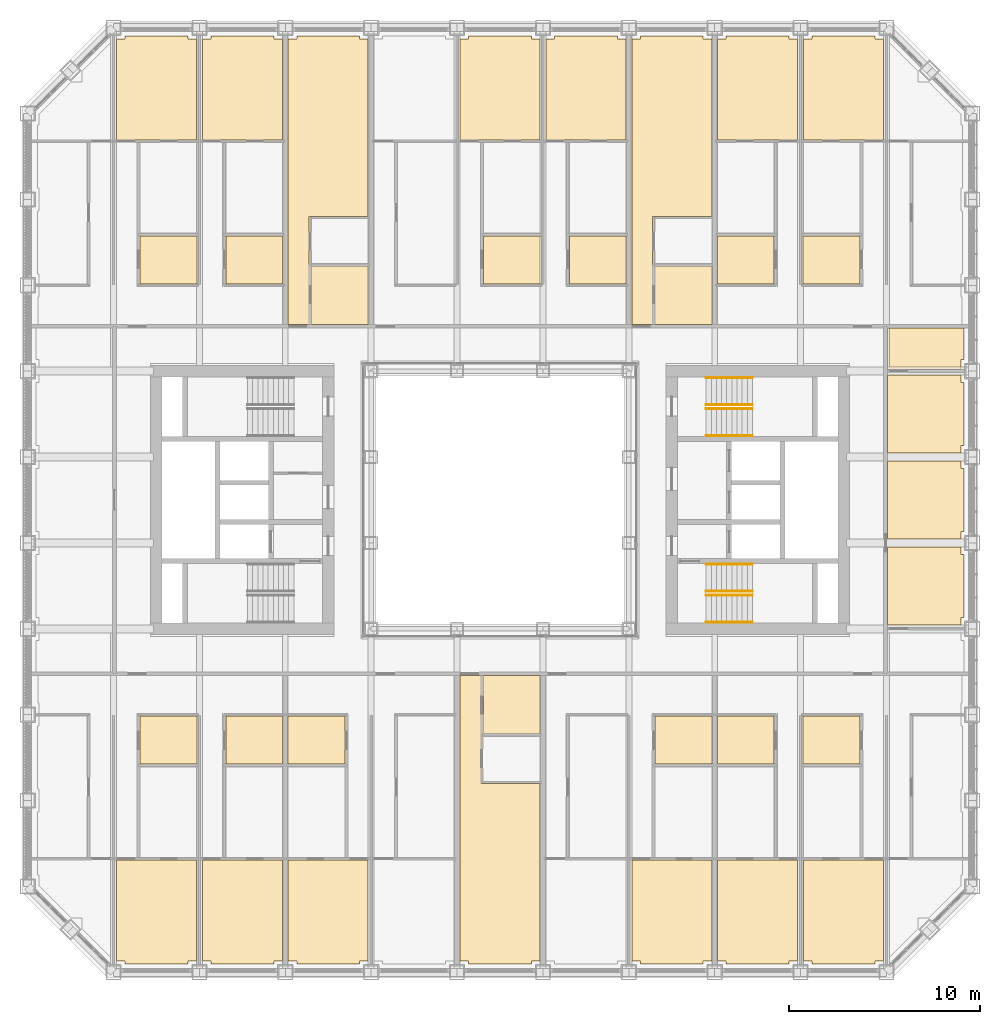
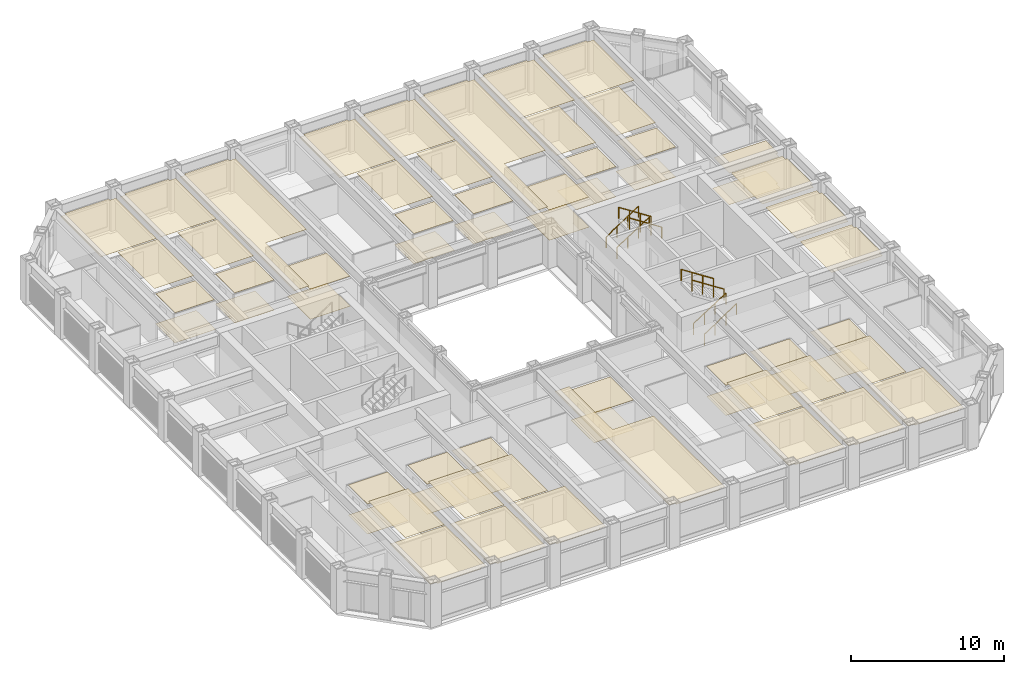
# One storey, part 19 of 20: 8 railings, 3 coverings.
"""IFC4 building model written with IfcOpenShell, lengths in metres."""

import ifcopenshell
import ifcopenshell.guid

model = None  # the IFC model being written
_history = None  # IfcOwnerHistory: only IFC2X3 demands one
_inside = {}  # id of a spatial element -> (the spatial element, [elements in it])
_under = {}  # id of a project, library or spatial element -> (it, [spatial elements below it])
_declared = {}  # id of a project -> (the project, [libraries it declares])
_typed = {}  # id of a type object -> (the type object, [elements of that type])
_made_of = {}  # id of a material, layer set ... -> (it, [elements and type objects made of it])


def new_model(schema):
    """Start an empty IFC model of exactly this schema.

    Asked for "IFC4X3", IfcOpenShell would pick the latest addendum, in which some entities
    have other attributes; the version numbers below select the first issue.
    IFC2X3 requires an IfcOwnerHistory on every rooted entity: one is made here for all.
    """
    global model, _history
    if schema == "IFC4X3":
        model = ifcopenshell.file(schema_version=(4, 3, 0, 0))
    else:
        model = ifcopenshell.file(schema=schema)
    _inside.clear()
    _under.clear()
    _declared.clear()
    _typed.clear()
    _made_of.clear()
    _history = None
    if model.schema == "IFC2X3":
        org = make("IfcOrganization", Name="unknown")
        user = make(
            "IfcPersonAndOrganization",
            ThePerson=make("IfcPerson", FamilyName="unknown"),
            TheOrganization=org,
        )
        app = make(
            "IfcApplication",
            ApplicationDeveloper=org,
            Version="unknown",
            ApplicationFullName="unknown",
            ApplicationIdentifier="unknown",
        )
        _history = make(
            "IfcOwnerHistory",
            OwningUser=user,
            OwningApplication=app,
            ChangeAction="ADDED",
            CreationDate=0,
        )
    return model


def make(cls, **values):
    """One entity of the class cls with the attributes given. An attribute that is None is left unset."""
    return model.create_entity(
        cls, **{name: value for name, value in values.items() if value is not None}
    )


def rooted(cls, **values):
    """An entity with a GlobalId (a new one), such as an element, a storey or a relation."""
    return make(cls, GlobalId=ifcopenshell.guid.new(), OwnerHistory=_history, **values)


def si_unit(unit_type, name, prefix=None):
    """IfcSIUnit, for example si_unit("LENGTHUNIT", "METRE", prefix="MILLI")."""
    return make("IfcSIUnit", UnitType=unit_type, Prefix=prefix, Name=name)


def assignment(units):
    """IfcUnitAssignment: the units of a project."""
    return None if units is None else make("IfcUnitAssignment", Units=units)


def point(xyz):
    """IfcCartesianPoint."""
    return None if xyz is None else make("IfcCartesianPoint", Coordinates=xyz)


def direction(xyz):
    """IfcDirection."""
    return None if xyz is None else make("IfcDirection", DirectionRatios=xyz)


def frame(location, z_axis=None, x_axis=None):
    """IfcAxis2Placement3D, a coordinate frame: its origin and axes. An axis left out is left unset."""
    return make(
        "IfcAxis2Placement3D",
        Location=point(location),
        Axis=direction(z_axis),
        RefDirection=direction(x_axis),
    )


def frame_2d(location, x_axis=None):
    """IfcAxis2Placement2D, a coordinate frame in the plane: its origin and x axis."""
    return make(
        "IfcAxis2Placement2D", Location=point(location), RefDirection=direction(x_axis)
    )


def origin():
    """The frame at (0, 0, 0) with its axes left unset."""
    return frame((0.0, 0.0, 0.0))


def origin_2d():
    """The frame at (0, 0) in the plane with its x axis left unset."""
    return frame_2d((0.0, 0.0))


def place(relative_to, where):
    """IfcLocalPlacement: puts the frame where relative to a parent placement (None: the world)."""
    return make(
        "IfcLocalPlacement", PlacementRelTo=relative_to, RelativePlacement=where
    )


def context(
    kind, dimensions, precision=None, world=None, true_north=None, identifier=None
):
    """IfcGeometricRepresentationContext, for example the 3D "Model" context."""
    return make(
        "IfcGeometricRepresentationContext",
        ContextIdentifier=identifier,
        ContextType=kind,
        CoordinateSpaceDimension=dimensions,
        Precision=precision,
        WorldCoordinateSystem=world,
        TrueNorth=true_north,
    )


def subcontext(parent, identifier, kind, view, scale=None):
    """IfcGeometricRepresentationSubContext, for example "Body" below "Model"."""
    return make(
        "IfcGeometricRepresentationSubContext",
        ContextIdentifier=identifier,
        ContextType=kind,
        ParentContext=parent,
        TargetScale=scale,
        TargetView=view,
    )


def project(units=None, contexts=None):
    """IfcProject with its units and contexts."""
    return rooted(
        "IfcProject",
        Name="project",
        RepresentationContexts=contexts,
        UnitsInContext=assignment(units),
    )


def spatial(cls, under=None, at=None, **own):
    """A site, building, storey or space (cls), placed at a placement, below another one or the project."""
    s = rooted(cls, ObjectPlacement=at, **own)
    if under is not None:
        _under.setdefault(under.id(), (under, []))[1].append(s)
    return s


def point_list(points):
    """IfcCartesianPointList2D or 3D."""
    cls = (
        "IfcCartesianPointList2D" if len(points[0]) == 2 else "IfcCartesianPointList3D"
    )
    return make(cls, CoordList=points)


def line(*indices):
    """IfcLineIndex: a straight run through numbered points of an indexed curve."""
    return model.create_entity("IfcLineIndex", indices)


def indexed_curve(points, segments=None, self_intersect=None):
    """IfcIndexedPolyCurve: lines and arcs through numbered points (the first is 1)."""
    return make(
        "IfcIndexedPolyCurve",
        Points=point_list(points),
        Segments=segments,
        SelfIntersect=self_intersect,
    )


def profile(cls, at=None, kind="AREA", **sizes):
    """A parametric profile (cls). Its sizes go by their IFC names, for example OverallWidth=200.0."""
    return make(cls, ProfileType=kind, Position=at, **sizes)


def circle(**sizes):
    """IfcCircleProfileDef."""
    return profile("IfcCircleProfileDef", **sizes)


def outline(outer, holes=None, kind="AREA"):
    """IfcArbitraryClosedProfileDef: a profile drawn as a closed curve; with holes, ...WithVoids."""
    if holes is None:
        return make("IfcArbitraryClosedProfileDef", ProfileType=kind, OuterCurve=outer)
    return make(
        "IfcArbitraryProfileDefWithVoids",
        ProfileType=kind,
        OuterCurve=outer,
        InnerCurves=holes,
    )


def extrude(swept, where, along, depth):
    """IfcExtrudedAreaSolid: the profile swept, set in the frame where, extruded along a direction by depth."""
    return make(
        "IfcExtrudedAreaSolid",
        SweptArea=swept,
        Position=where,
        ExtrudedDirection=direction(along),
        Depth=depth,
    )


def shape(context_of_items, identifier, shape_type, items):
    """IfcShapeRepresentation: the items that make up one representation, for example the "Body"."""
    return make(
        "IfcShapeRepresentation",
        ContextOfItems=context_of_items,
        RepresentationIdentifier=identifier,
        RepresentationType=shape_type,
        Items=items,
    )


def material(Name=None, Category=None):
    """IfcMaterial."""
    return make("IfcMaterial", Name=Name, Category=Category)


def layer(
    of_material, thickness, ventilated=None, Name=None, Category=None, Priority=None
):
    """IfcMaterialLayer: one layer of a wall or slab, of a material (None: an air gap)."""
    return make(
        "IfcMaterialLayer",
        Material=of_material,
        LayerThickness=thickness,
        IsVentilated=ventilated,
        Name=Name,
        Category=Category,
        Priority=Priority,
    )


def layer_set(layers, Name=None):
    """IfcMaterialLayerSet."""
    return make("IfcMaterialLayerSet", MaterialLayers=layers, LayerSetName=Name)


def made_of(thing, what):
    """Note that an element or type object is made of a material, layer set ...; save() writes the relation."""
    if what is not None:
        _made_of.setdefault(what.id(), (what, []))[1].append(thing)
    return thing


def type_object(cls, material=None, **own):
    """A type object (cls), such as IfcWallType, which elements share."""
    return made_of(rooted(cls, **own), material)


def element(
    cls,
    number,
    at=None,
    inside=None,
    cuts=None,
    type_object=None,
    material=None,
    context=None,
    identifier="Body",
    shape_type=None,
    held_by="IfcProductDefinitionShape",
    body=None,
    shapes=None,
    **own,
):
    """One element of the class cls, such as IfcWall. Its Tag is "e" and its number.

    at: its placement. inside: the storey or other place that contains it. cuts: it is an
    opening in that element (IfcRelVoidsElement). A single representation is given by context,
    identifier, shape_type and body (its items); several are given by shapes. held_by: the class
    of the entity that holds the representations. save() writes the other relations.
    """
    e = rooted(cls, Tag="e%d" % number, ObjectPlacement=at, **own)
    if body is not None:
        shapes = [shape(context, identifier, shape_type, body)]
    if shapes is not None:
        e.Representation = make(held_by, Representations=shapes)
    if inside is not None:
        _inside.setdefault(inside.id(), (inside, []))[1].append(e)
    if cuts is not None:
        rooted(
            "IfcRelVoidsElement", RelatingBuildingElement=cuts, RelatedOpeningElement=e
        )
    if type_object is not None:
        _typed.setdefault(type_object.id(), (type_object, []))[1].append(e)
    return made_of(e, material)


def aggregate(whole, parts):
    """IfcRelAggregates: a whole, such as a stair, and the parts it consists of."""
    return rooted("IfcRelAggregates", RelatingObject=whole, RelatedObjects=parts)


def save(model, path):
    """Write the relations noted so far, then the file.

    IfcRelAggregates (storeys below a building ...), IfcRelContainedInSpatialStructure (elements
    in a storey), IfcRelDefinesByType, IfcRelAssociatesMaterial and IfcRelDeclares: one each for
    every whole, place, type object, material and project.
    """
    for whole, parts in _under.values():
        aggregate(whole, parts)
    for where, things in _inside.values():
        rooted(
            "IfcRelContainedInSpatialStructure",
            RelatedElements=things,
            RelatingStructure=where,
        )
    for kind, things in _typed.values():
        rooted("IfcRelDefinesByType", RelatedObjects=things, RelatingType=kind)
    for what, things in _made_of.values():
        rooted("IfcRelAssociatesMaterial", RelatedObjects=things, RelatingMaterial=what)
    for by, libraries in _declared.values():
        rooted("IfcRelDeclares", RelatingContext=by, RelatedDefinitions=libraries)
    model.write(path)


model = new_model("IFC4")

# Units and contexts
model_context = context("Model", 3, precision=1e-05, world=origin(), true_north=direction((0.0, 1.0)))
body_context = subcontext(model_context, "Body", "Model", "MODEL_VIEW")
ifc_project = project(units=[si_unit("LENGTHUNIT", "METRE"), si_unit("AREAUNIT", "SQUARE_METRE"), si_unit("VOLUMEUNIT", "CUBIC_METRE"), si_unit("PLANEANGLEUNIT", "RADIAN"), si_unit("MASSUNIT", "GRAM", prefix="KILO")], contexts=[model_context])

# Site, building, storey
site_placement = place(None, origin())
site = spatial("IfcSite", under=ifc_project, at=site_placement, CompositionType="ELEMENT")
building_placement = place(site_placement, origin())
building = spatial("IfcBuilding", under=site, at=building_placement, Name="Msasa Ring Tower", CompositionType="ELEMENT")
storey_placement = place(building_placement, frame((0.0, 0.0, 65.0)))
storey = spatial("IfcBuildingStorey", under=building, at=storey_placement, Name="L16", CompositionType="ELEMENT", Elevation=65.0)

# Coverings
ifc_material_1 = material(Name="Gypsum plasterboard on a steel suspension grid", Category="steel")
ifc_layer_1 = layer(ifc_material_1, 0.014892578125)
ifc_layer_set_1 = layer_set([ifc_layer_1], Name="C1 SUSPENDED PLASTERBOARD CEILING 15")
covering_type_1 = type_object("IfcCoveringType", Name="C1 SUSPENDED PLASTERBOARD CEILING 15", PredefinedType="CEILING", material=ifc_layer_set_1)
covering_1_placement = place(storey_placement, frame((0.0, 0.0, 2.699951171875)))
element("IfcCovering", 1, at=covering_1_placement, inside=storey, type_object=covering_type_1, Name="Suspended Plasterboard Ceiling 15 L16", PredefinedType="CEILING", context=body_context, shape_type="SweptSolid", body=[
    extrude(outline(indexed_curve([(-15.904296875, -18.85546875), (-15.904296875, -24.1494140625), (-16.3505859375, -24.1494140625), (-16.3505859375, -24.299560546875), (-19.6494140625, -24.299560546875), (-19.6494140625, -24.1494140625), (-20.095703125, -24.1494140625), (-20.095703125, -18.85546875)], segments=[line(1, 2, 3, 4, 5, 6, 7, 8, 1)], self_intersect=False)), origin(), (0.0, 0.0, 1.0), 0.01513671875),
    extrude(outline(indexed_curve([(-20.095703125, 18.85546875), (-20.095703125, 24.1494140625), (-19.6494140625, 24.1494140625), (-19.6494140625, 24.299560546875), (-16.3505859375, 24.299560546875), (-16.3505859375, 24.1494140625), (-15.904296875, 24.1494140625), (-15.904296875, 18.85546875)], segments=[line(1, 2, 3, 4, 5, 6, 7, 8, 1)], self_intersect=False)), origin(), (0.0, 0.0, 1.0), 0.01513671875),
    extrude(outline(indexed_curve([(-15.904296875, -13.98046875), (-15.904296875, -18.744384765625), (-18.869384765625, -18.744384765625), (-18.869384765625, -13.98046875)], segments=[line(1, 2, 3, 4, 1)], self_intersect=False)), origin(), (0.0, 0.0, 1.0), 0.01513671875),
    extrude(outline(indexed_curve([(-18.869384765625, 18.744384765625), (-15.904296875, 18.744384765625), (-15.904296875, 13.98046875), (-18.869384765625, 13.98046875)], segments=[line(1, 2, 3, 4, 1)], self_intersect=False)), origin(), (0.0, 0.0, 1.0), 0.01513671875),
    extrude(outline(indexed_curve([(-15.1494140625, -24.299560546875), (-15.1494140625, -24.1494140625), (-15.595703125, -24.1494140625), (-15.595703125, -18.85546875), (-11.404296875, -18.85546875), (-11.404296875, -24.1494140625), (-11.8505859375, -24.1494140625), (-11.8505859375, -24.299560546875)], segments=[line(1, 2, 3, 4, 5, 6, 7, 8, 1)], self_intersect=False)), origin(), (0.0, 0.0, 1.0), 0.01513671875),
    extrude(outline(indexed_curve([(-11.8505859375, 24.299560546875), (-11.8505859375, 24.1494140625), (-11.404296875, 24.1494140625), (-11.404296875, 18.85546875), (-15.595703125, 18.85546875), (-15.595703125, 24.1494140625), (-15.1494140625, 24.1494140625), (-15.1494140625, 24.299560546875)], segments=[line(1, 2, 3, 4, 5, 6, 7, 8, 1)], self_intersect=False)), origin(), (0.0, 0.0, 1.0), 0.01513671875),
    extrude(outline(indexed_curve([(-11.404296875, -13.98046875), (-11.404296875, -18.744384765625), (-14.369384765625, -18.744384765625), (-14.369384765625, -13.98046875)], segments=[line(1, 2, 3, 4, 1)], self_intersect=False)), origin(), (0.0, 0.0, 1.0), 0.01513671875),
    extrude(outline(indexed_curve([(-11.404296875, 18.744384765625), (-11.404296875, 13.98046875), (-14.369384765625, 13.98046875), (-14.369384765625, 18.744384765625)], segments=[line(1, 2, 3, 4, 1)], self_intersect=False)), origin(), (0.0, 0.0, 1.0), 0.01513671875),
    extrude(outline(indexed_curve([(-10.6494140625, -24.299560546875), (-10.6494140625, -24.1494140625), (-11.095703125, -24.1494140625), (-11.095703125, -18.85546875), (-6.904296875, -18.85546875), (-6.904296875, -24.1494140625), (-7.3505859375, -24.1494140625), (-7.3505859375, -24.299560546875)], segments=[line(1, 2, 3, 4, 5, 6, 7, 8, 1)], self_intersect=False)), origin(), (0.0, 0.0, 1.0), 0.01513671875),
    extrude(outline(indexed_curve([(-8.130615234375, -13.98046875), (-8.130615234375, -18.744384765625), (-11.095703125, -18.744384765625), (-11.095703125, -13.98046875)], segments=[line(1, 2, 3, 4, 1)], self_intersect=False)), origin(), (0.0, 0.0, 1.0), 0.01513671875),
    extrude(outline(indexed_curve([(-7.3505859375, 24.299560546875), (-7.3505859375, 24.1494140625), (-6.904296875, 24.1494140625), (-6.904296875, 14.8505859375), (-10.00048828125, 14.8505859375), (-10.00048828125, 9.200439453125), (-11.095703125, 9.200439453125), (-11.095703125, 24.1494140625), (-10.6494140625, 24.1494140625), (-10.6494140625, 24.299560546875)], segments=[line(1, 2, 3, 4, 5, 6, 7, 8, 9, 10, 1)], self_intersect=False)), origin(), (0.0, 0.0, 1.0), 0.01513671875),
    extrude(outline(indexed_curve([(-1.00048828125, -9.200439453125), (-1.00048828125, -14.8505859375), (2.095703125, -14.8505859375), (2.095703125, -24.1494140625), (1.6494140625, -24.1494140625), (1.6494140625, -24.299560546875), (-1.6494140625, -24.299560546875), (-1.6494140625, -24.1494140625), (-2.095703125, -24.1494140625), (-2.095703125, -9.200439453125)], segments=[line(1, 2, 3, 4, 5, 6, 7, 8, 9, 10, 1)], self_intersect=False)), origin(), (0.0, 0.0, 1.0), 0.01513671875),
    extrude(outline(indexed_curve([(1.6494140625, 24.299560546875), (1.6494140625, 24.1494140625), (2.095703125, 24.1494140625), (2.095703125, 18.85546875), (-2.095703125, 18.85546875), (-2.095703125, 24.1494140625), (-1.6494140625, 24.1494140625), (-1.6494140625, 24.299560546875)], segments=[line(1, 2, 3, 4, 5, 6, 7, 8, 1)], self_intersect=False)), origin(), (0.0, 0.0, 1.0), 0.01513671875),
    extrude(outline(indexed_curve([(2.095703125, 18.744384765625), (2.095703125, 13.98046875), (-0.869384765625, 13.98046875), (-0.869384765625, 18.744384765625)], segments=[line(1, 2, 3, 4, 1)], self_intersect=False)), origin(), (0.0, 0.0, 1.0), 0.01513671875),
    extrude(outline(indexed_curve([(6.1494140625, 24.299560546875), (6.1494140625, 24.1494140625), (6.595703125, 24.1494140625), (6.595703125, 18.85546875), (2.404296875, 18.85546875), (2.404296875, 24.1494140625), (2.8505859375, 24.1494140625), (2.8505859375, 24.299560546875)], segments=[line(1, 2, 3, 4, 5, 6, 7, 8, 1)], self_intersect=False)), origin(), (0.0, 0.0, 1.0), 0.01513671875),
    extrude(outline(indexed_curve([(3.630615234375, 18.744384765625), (6.595703125, 18.744384765625), (6.595703125, 13.98046875), (3.630615234375, 13.98046875)], segments=[line(1, 2, 3, 4, 1)], self_intersect=False)), origin(), (0.0, 0.0, 1.0), 0.01513671875),
    extrude(outline(indexed_curve([(11.095703125, -18.85546875), (11.095703125, -24.1494140625), (10.6494140625, -24.1494140625), (10.6494140625, -24.299560546875), (7.3505859375, -24.299560546875), (7.3505859375, -24.1494140625), (6.904296875, -24.1494140625), (6.904296875, -18.85546875)], segments=[line(1, 2, 3, 4, 5, 6, 7, 8, 1)], self_intersect=False)), origin(), (0.0, 0.0, 1.0), 0.01513671875),
    extrude(outline(indexed_curve([(10.6494140625, 24.299560546875), (10.6494140625, 24.1494140625), (11.095703125, 24.1494140625), (11.095703125, 14.8505859375), (7.99951171875, 14.8505859375), (7.99951171875, 9.200439453125), (6.904296875, 9.200439453125), (6.904296875, 24.1494140625), (7.3505859375, 24.1494140625), (7.3505859375, 24.299560546875)], segments=[line(1, 2, 3, 4, 5, 6, 7, 8, 9, 10, 1)], self_intersect=False)), origin(), (0.0, 0.0, 1.0), 0.01513671875),
    extrude(outline(indexed_curve([(11.095703125, -13.98046875), (11.095703125, -18.744384765625), (8.130615234375, -18.744384765625), (8.130615234375, -13.98046875)], segments=[line(1, 2, 3, 4, 1)], self_intersect=False)), origin(), (0.0, 0.0, 1.0), 0.01513671875),
    extrude(outline(indexed_curve([(11.8505859375, -24.299560546875), (11.8505859375, -24.1494140625), (11.404296875, -24.1494140625), (11.404296875, -18.85546875), (15.595703125, -18.85546875), (15.595703125, -24.1494140625), (15.1494140625, -24.1494140625), (15.1494140625, -24.299560546875)], segments=[line(1, 2, 3, 4, 5, 6, 7, 8, 1)], self_intersect=False)), origin(), (0.0, 0.0, 1.0), 0.01513671875),
    extrude(outline(indexed_curve([(14.369384765625, -13.98046875), (14.369384765625, -18.744384765625), (11.404296875, -18.744384765625), (11.404296875, -13.98046875)], segments=[line(1, 2, 3, 4, 1)], self_intersect=False)), origin(), (0.0, 0.0, 1.0), 0.01513671875),
    extrude(outline(indexed_curve([(14.369384765625, 18.744384765625), (14.369384765625, 13.98046875), (11.404296875, 13.98046875), (11.404296875, 18.744384765625)], segments=[line(1, 2, 3, 4, 1)], self_intersect=False)), origin(), (0.0, 0.0, 1.0), 0.01513671875),
    extrude(outline(indexed_curve([(15.1494140625, 24.299560546875), (15.1494140625, 24.1494140625), (15.595703125, 24.1494140625), (15.595703125, 18.85546875), (11.404296875, 18.85546875), (11.404296875, 24.1494140625), (11.8505859375, 24.1494140625), (11.8505859375, 24.299560546875)], segments=[line(1, 2, 3, 4, 5, 6, 7, 8, 1)], self_intersect=False)), origin(), (0.0, 0.0, 1.0), 0.01513671875),
    extrude(outline(indexed_curve([(20.095703125, -18.85546875), (20.095703125, -24.1494140625), (19.6494140625, -24.1494140625), (19.6494140625, -24.299560546875), (16.3505859375, -24.299560546875), (16.3505859375, -24.1494140625), (15.904296875, -24.1494140625), (15.904296875, -18.85546875)], segments=[line(1, 2, 3, 4, 5, 6, 7, 8, 1)], self_intersect=False)), origin(), (0.0, 0.0, 1.0), 0.01513671875),
    extrude(outline(indexed_curve([(18.869384765625, -13.98046875), (18.869384765625, -18.744384765625), (15.904296875, -18.744384765625), (15.904296875, -13.98046875)], segments=[line(1, 2, 3, 4, 1)], self_intersect=False)), origin(), (0.0, 0.0, 1.0), 0.01513671875),
    extrude(outline(indexed_curve([(18.869384765625, 18.744384765625), (18.869384765625, 13.98046875), (15.904296875, 13.98046875), (15.904296875, 18.744384765625)], segments=[line(1, 2, 3, 4, 1)], self_intersect=False)), origin(), (0.0, 0.0, 1.0), 0.01513671875),
    extrude(outline(indexed_curve([(15.904296875, 18.85546875), (15.904296875, 24.1494140625), (16.3505859375, 24.1494140625), (16.3505859375, 24.299560546875), (19.6494140625, 24.299560546875), (19.6494140625, 24.1494140625), (20.095703125, 24.1494140625), (20.095703125, 18.85546875)], segments=[line(1, 2, 3, 4, 5, 6, 7, 8, 1)], self_intersect=False)), origin(), (0.0, 0.0, 1.0), 0.01513671875),
    extrude(outline(indexed_curve([(20.300537109375, -2.460693359375), (24.1494140625, -2.460693359375), (24.1494140625, -2.8505859375), (24.299560546875, -2.8505859375), (24.299560546875, -6.1494140625), (24.1494140625, -6.1494140625), (24.1494140625, -6.539306640625), (20.300537109375, -6.539306640625)], segments=[line(1, 2, 3, 4, 5, 6, 7, 8, 1)], self_intersect=False)), origin(), (0.0, 0.0, 1.0), 0.01513671875),
    extrude(outline(indexed_curve([(20.300537109375, 2.039306640625), (24.1494140625, 2.039306640625), (24.1494140625, 1.6494140625), (24.299560546875, 1.6494140625), (24.299560546875, -1.6494140625), (24.1494140625, -1.6494140625), (24.1494140625, -2.039306640625), (20.300537109375, -2.039306640625)], segments=[line(1, 2, 3, 4, 5, 6, 7, 8, 1)], self_intersect=False)), origin(), (0.0, 0.0, 1.0), 0.01513671875),
    extrude(outline(indexed_curve([(20.300537109375, 6.539306640625), (24.1494140625, 6.539306640625), (24.1494140625, 6.1494140625), (24.299560546875, 6.1494140625), (24.299560546875, 2.8505859375), (24.1494140625, 2.8505859375), (24.1494140625, 2.460693359375), (20.300537109375, 2.460693359375)], segments=[line(1, 2, 3, 4, 5, 6, 7, 8, 1)], self_intersect=False)), origin(), (0.0, 0.0, 1.0), 0.01513671875),
])
ifc_material_2 = material(Name="Moisture-resistant gypsum plasterboard on a steel suspension grid", Category="steel")
ifc_layer_2 = layer(ifc_material_2, 0.014892578125)
ifc_layer_set_2 = layer_set([ifc_layer_2], Name="C2 MOISTURE-RESISTANT PLASTERBOARD CEILING 15")
covering_type_2 = type_object("IfcCoveringType", Name="C2 MOISTURE-RESISTANT PLASTERBOARD CEILING 15", PredefinedType="CEILING", material=ifc_layer_set_2)
covering_2_placement = place(storey_placement, frame((0.0, 0.0, 2.39990234375)))
element("IfcCovering", 2, at=covering_2_placement, inside=storey, type_object=covering_type_2, Name="Moisture-Resistant Plasterboard Ceiling 15 L16", PredefinedType="CEILING", context=body_context, shape_type="SweptSolid", body=[
    extrude(outline(indexed_curve([(-18.869384765625, -11.305419921875), (-15.904296875, -11.305419921875), (-15.904296875, -13.819580078125), (-18.869384765625, -13.819580078125)], segments=[line(1, 2, 3, 4, 1)], self_intersect=False)), origin(), (0.0, 0.0, 1.0), 0.01513671875),
    extrude(outline(indexed_curve([(-18.869384765625, 13.819580078125), (-15.904296875, 13.819580078125), (-15.904296875, 11.305419921875), (-18.869384765625, 11.305419921875)], segments=[line(1, 2, 3, 4, 1)], self_intersect=False)), origin(), (0.0, 0.0, 1.0), 0.01513671875),
    extrude(outline(indexed_curve([(-14.369384765625, -11.305419921875), (-11.404296875, -11.305419921875), (-11.404296875, -13.819580078125), (-14.369384765625, -13.819580078125)], segments=[line(1, 2, 3, 4, 1)], self_intersect=False)), origin(), (0.0, 0.0, 1.0), 0.01513671875),
    extrude(outline(indexed_curve([(-14.369384765625, 13.819580078125), (-11.404296875, 13.819580078125), (-11.404296875, 11.305419921875), (-14.369384765625, 11.305419921875)], segments=[line(1, 2, 3, 4, 1)], self_intersect=False)), origin(), (0.0, 0.0, 1.0), 0.01513671875),
    extrude(outline(indexed_curve([(-8.130615234375, -11.305419921875), (-8.130615234375, -13.819580078125), (-11.095703125, -13.819580078125), (-11.095703125, -11.305419921875)], segments=[line(1, 2, 3, 4, 1)], self_intersect=False)), origin(), (0.0, 0.0, 1.0), 0.01513671875),
    extrude(outline(indexed_curve([(-9.8994140625, 12.24951171875), (-6.904296875, 12.24951171875), (-6.904296875, 9.200439453125), (-9.8994140625, 9.200439453125)], segments=[line(1, 2, 3, 4, 1)], self_intersect=False)), origin(), (0.0, 0.0, 1.0), 0.01513671875),
    extrude(outline(indexed_curve([(-0.8994140625, -9.200439453125), (2.095703125, -9.200439453125), (2.095703125, -12.24951171875), (-0.8994140625, -12.24951171875)], segments=[line(1, 2, 3, 4, 1)], self_intersect=False)), origin(), (0.0, 0.0, 1.0), 0.01513671875),
    extrude(outline(indexed_curve([(-0.869384765625, 13.819580078125), (2.095703125, 13.819580078125), (2.095703125, 11.305419921875), (-0.869384765625, 11.305419921875)], segments=[line(1, 2, 3, 4, 1)], self_intersect=False)), origin(), (0.0, 0.0, 1.0), 0.01513671875),
    extrude(outline(indexed_curve([(3.630615234375, 13.819580078125), (6.595703125, 13.819580078125), (6.595703125, 11.305419921875), (3.630615234375, 11.305419921875)], segments=[line(1, 2, 3, 4, 1)], self_intersect=False)), origin(), (0.0, 0.0, 1.0), 0.01513671875),
    extrude(outline(indexed_curve([(8.1005859375, 12.24951171875), (11.095703125, 12.24951171875), (11.095703125, 9.200439453125), (8.1005859375, 9.200439453125)], segments=[line(1, 2, 3, 4, 1)], self_intersect=False)), origin(), (0.0, 0.0, 1.0), 0.01513671875),
    extrude(outline(indexed_curve([(8.130615234375, -11.305419921875), (11.095703125, -11.305419921875), (11.095703125, -13.819580078125), (8.130615234375, -13.819580078125)], segments=[line(1, 2, 3, 4, 1)], self_intersect=False)), origin(), (0.0, 0.0, 1.0), 0.01513671875),
    extrude(outline(indexed_curve([(14.369384765625, -11.305419921875), (14.369384765625, -13.819580078125), (11.404296875, -13.819580078125), (11.404296875, -11.305419921875)], segments=[line(1, 2, 3, 4, 1)], self_intersect=False)), origin(), (0.0, 0.0, 1.0), 0.01513671875),
    extrude(outline(indexed_curve([(14.369384765625, 13.819580078125), (14.369384765625, 11.305419921875), (11.404296875, 11.305419921875), (11.404296875, 13.819580078125)], segments=[line(1, 2, 3, 4, 1)], self_intersect=False)), origin(), (0.0, 0.0, 1.0), 0.01513671875),
    extrude(outline(indexed_curve([(18.869384765625, -11.305419921875), (18.869384765625, -13.819580078125), (15.904296875, -13.819580078125), (15.904296875, -11.305419921875)], segments=[line(1, 2, 3, 4, 1)], self_intersect=False)), origin(), (0.0, 0.0, 1.0), 0.01513671875),
    extrude(outline(indexed_curve([(18.869384765625, 13.819580078125), (18.869384765625, 11.305419921875), (15.904296875, 11.305419921875), (15.904296875, 13.819580078125)], segments=[line(1, 2, 3, 4, 1)], self_intersect=False)), origin(), (0.0, 0.0, 1.0), 0.01513671875),
    extrude(outline(indexed_curve([(24.299560546875, 8.99951171875), (24.299560546875, 7.3505859375), (24.1494140625, 7.3505859375), (24.1494140625, 6.960693359375), (20.404296875, 6.960693359375), (20.404296875, 8.99951171875)], segments=[line(1, 2, 3, 4, 5, 6, 1)], self_intersect=False)), origin(), (0.0, 0.0, 1.0), 0.01513671875),
])
ifc_material_3 = material(Name="Porcelain floor tiles in adhesive", Category="ceramic")
ifc_layer_3 = layer(ifc_material_3, 0.010009765625)
ifc_layer_set_3 = layer_set([ifc_layer_3], Name="F4 PORCELAIN TILE ON ADHESIVE 10")
covering_type_3 = type_object("IfcCoveringType", Name="F4 PORCELAIN TILE ON ADHESIVE 10", PredefinedType="FLOORING", material=ifc_layer_set_3)
covering_3_placement = place(storey_placement, origin())
element("IfcCovering", 3, at=covering_3_placement, inside=storey, type_object=covering_type_3, Name="Porcelain Tile On Adhesive 10 L16", PredefinedType="FLOORING", context=body_context, shape_type="SweptSolid", body=[
    extrude(outline(indexed_curve([(-15.810546875, -11.305419921875), (-15.810546875, -13.819580078125), (-18.869384765625, -13.819580078125), (-18.869384765625, -11.305419921875)], segments=[line(1, 2, 3, 4, 1)], self_intersect=False)), origin(), (0.0, 0.0, 1.0), 0.010009765625),
    extrude(outline(indexed_curve([(-15.810546875, 13.819580078125), (-15.810546875, 11.305419921875), (-18.869384765625, 11.305419921875), (-18.869384765625, 13.819580078125)], segments=[line(1, 2, 3, 4, 1)], self_intersect=False)), origin(), (0.0, 0.0, 1.0), 0.010009765625),
    extrude(outline(indexed_curve([(-11.37548828125, -11.305419921875), (-11.37548828125, -13.819580078125), (-14.369384765625, -13.819580078125), (-14.369384765625, -11.305419921875)], segments=[line(1, 2, 3, 4, 1)], self_intersect=False)), origin(), (0.0, 0.0, 1.0), 0.010009765625),
    extrude(outline(indexed_curve([(-11.37548828125, 13.819580078125), (-11.37548828125, 11.305419921875), (-14.369384765625, 11.305419921875), (-14.369384765625, 13.819580078125)], segments=[line(1, 2, 3, 4, 1)], self_intersect=False)), origin(), (0.0, 0.0, 1.0), 0.010009765625),
    extrude(outline(indexed_curve([(-8.130615234375, -11.305419921875), (-8.130615234375, -13.819580078125), (-11.12451171875, -13.819580078125), (-11.12451171875, -11.305419921875)], segments=[line(1, 2, 3, 4, 1)], self_intersect=False)), origin(), (0.0, 0.0, 1.0), 0.010009765625),
    extrude(outline(indexed_curve([(-9.87451171875, 9.200439453125), (-9.87451171875, 12.224609375), (-6.87548828125, 12.224609375), (-6.87548828125, 9.200439453125)], segments=[line(1, 2, 3, 4, 1)], self_intersect=False)), origin(), (0.0, 0.0, 1.0), 0.010009765625),
    extrude(outline(indexed_curve([(2.12451171875, -9.200439453125), (2.12451171875, -12.224609375), (-0.87451171875, -12.224609375), (-0.87451171875, -9.200439453125)], segments=[line(1, 2, 3, 4, 1)], self_intersect=False)), origin(), (0.0, 0.0, 1.0), 0.010009765625),
    extrude(outline(indexed_curve([(2.189453125, 13.819580078125), (2.189453125, 11.305419921875), (-0.869384765625, 11.305419921875), (-0.869384765625, 13.819580078125)], segments=[line(1, 2, 3, 4, 1)], self_intersect=False)), origin(), (0.0, 0.0, 1.0), 0.010009765625),
    extrude(outline(indexed_curve([(6.62451171875, 13.819580078125), (6.62451171875, 11.305419921875), (3.630615234375, 11.305419921875), (3.630615234375, 13.819580078125)], segments=[line(1, 2, 3, 4, 1)], self_intersect=False)), origin(), (0.0, 0.0, 1.0), 0.010009765625),
    extrude(outline(indexed_curve([(8.12548828125, 9.200439453125), (8.12548828125, 12.224609375), (11.12451171875, 12.224609375), (11.12451171875, 9.200439453125)], segments=[line(1, 2, 3, 4, 1)], self_intersect=False)), origin(), (0.0, 0.0, 1.0), 0.010009765625),
    extrude(outline(indexed_curve([(11.12451171875, -11.305419921875), (11.12451171875, -13.819580078125), (8.130615234375, -13.819580078125), (8.130615234375, -11.305419921875)], segments=[line(1, 2, 3, 4, 1)], self_intersect=False)), origin(), (0.0, 0.0, 1.0), 0.010009765625),
    extrude(outline(indexed_curve([(14.369384765625, -11.305419921875), (14.369384765625, -13.819580078125), (11.37548828125, -13.819580078125), (11.37548828125, -11.305419921875)], segments=[line(1, 2, 3, 4, 1)], self_intersect=False)), origin(), (0.0, 0.0, 1.0), 0.010009765625),
    extrude(outline(indexed_curve([(14.369384765625, 13.819580078125), (14.369384765625, 11.305419921875), (11.37548828125, 11.305419921875), (11.37548828125, 13.819580078125)], segments=[line(1, 2, 3, 4, 1)], self_intersect=False)), origin(), (0.0, 0.0, 1.0), 0.010009765625),
    extrude(outline(indexed_curve([(18.869384765625, -11.305419921875), (18.869384765625, -13.819580078125), (15.810546875, -13.819580078125), (15.810546875, -11.305419921875)], segments=[line(1, 2, 3, 4, 1)], self_intersect=False)), origin(), (0.0, 0.0, 1.0), 0.010009765625),
    extrude(outline(indexed_curve([(18.869384765625, 13.819580078125), (18.869384765625, 11.305419921875), (15.810546875, 11.305419921875), (15.810546875, 13.819580078125)], segments=[line(1, 2, 3, 4, 1)], self_intersect=False)), origin(), (0.0, 0.0, 1.0), 0.010009765625),
    extrude(outline(indexed_curve([(20.300537109375, 8.99951171875), (24.299560546875, 8.99951171875), (24.299560546875, 7.3505859375), (24.1494140625, 7.3505859375), (24.1494140625, 6.83056640625), (20.300537109375, 6.83056640625)], segments=[line(1, 2, 3, 4, 5, 6, 1)], self_intersect=False)), origin(), (0.0, 0.0, 1.0), 0.010009765625),
])

# Railings
ifc_material_4 = material(Name="Stainless steel", Category="steel")
railing_type = type_object("IfcRailingType", Name="HR1 HANDRAIL 900", PredefinedType="HANDRAIL", material=ifc_material_4)
for number, where, name in (
    (4, (10.800048828125, -6.39990234375, 0.175048828125), "Handrail stair SEA L16 1"),
    (5, (10.800048828125, -5.0, 0.175048828125), "Handrail stair SEA L16 2"),
):
    element("IfcRailing", number, at=place(storey_placement, frame(where)), inside=storey, type_object=railing_type, Name=name, PredefinedType="HANDRAIL", context=body_context, shape_type="SweptSolid", body=[
        extrude(circle(Radius=0.02392578125, at=origin_2d()), frame((0.0, 0.0, 0.8759765625), z_axis=(0.839153699163, 0.0, 0.543894354798), x_axis=(0.0, 1.0, 0.0)), (0.0, 0.0, 1.0), 2.895751953125),
        extrude(circle(Radius=0.02099609375, at=origin_2d()), origin(), (0.0, 0.0, 1.0), 0.851806640625),
        extrude(circle(Radius=0.02099609375, at=origin_2d()), frame((0.81005859375, 0.0, 0.52490234375)), (0.0, 0.0, 1.0), 0.851806640625),
        extrude(circle(Radius=0.02099609375, at=origin_2d()), frame((1.619873046875, 0.0, 1.050048828125)), (0.0, 0.0, 1.0), 0.851806640625),
        extrude(circle(Radius=0.02099609375, at=origin_2d()), frame((2.429931640625, 0.0, 1.574951171875)), (0.0, 0.0, 1.0), 0.851806640625),
    ])
for number, where, name in (
    (6, (13.22998046875, -4.77490234375, 1.925048828125), "Handrail stair SEA L16 3"),
    (7, (13.22998046875, -3.375, 1.925048828125), "Handrail stair SEA L16 4"),
):
    element("IfcRailing", number, at=place(storey_placement, frame(where)), inside=storey, type_object=railing_type, Name=name, PredefinedType="HANDRAIL", context=body_context, shape_type="SweptSolid", body=[
        extrude(circle(Radius=0.02392578125, at=origin_2d()), frame((0.0, 0.0, 0.8759765625), z_axis=(-0.839153699163, 0.0, 0.543894354798), x_axis=(0.0, -1.0, 0.0)), (0.0, 0.0, 1.0), 2.895751953125),
        extrude(circle(Radius=0.02099609375, at=origin_2d()), origin(), (0.0, 0.0, 1.0), 0.851806640625),
        extrude(circle(Radius=0.02099609375, at=origin_2d()), frame((-0.81005859375, 0.0, 0.52490234375)), (0.0, 0.0, 1.0), 0.851806640625),
        extrude(circle(Radius=0.02099609375, at=origin_2d()), frame((-1.619873046875, 0.0, 1.050048828125)), (0.0, 0.0, 1.0), 0.851806640625),
        extrude(circle(Radius=0.02099609375, at=origin_2d()), frame((-2.429931640625, 0.0, 1.574951171875)), (0.0, 0.0, 1.0), 0.851806640625),
    ])
for number, where, name in (
    (8, (10.800048828125, 5.0, 0.175048828125), "Handrail stair SEB L16 1"),
    (9, (10.800048828125, 6.39990234375, 0.175048828125), "Handrail stair SEB L16 2"),
):
    element("IfcRailing", number, at=place(storey_placement, frame(where)), inside=storey, type_object=railing_type, Name=name, PredefinedType="HANDRAIL", context=body_context, shape_type="SweptSolid", body=[
        extrude(circle(Radius=0.02392578125, at=origin_2d()), frame((0.0, 0.0, 0.8759765625), z_axis=(0.839153699163, 0.0, 0.543894354798), x_axis=(0.0, 1.0, 0.0)), (0.0, 0.0, 1.0), 2.895751953125),
        extrude(circle(Radius=0.02099609375, at=origin_2d()), origin(), (0.0, 0.0, 1.0), 0.851806640625),
        extrude(circle(Radius=0.02099609375, at=origin_2d()), frame((0.81005859375, 0.0, 0.52490234375)), (0.0, 0.0, 1.0), 0.851806640625),
        extrude(circle(Radius=0.02099609375, at=origin_2d()), frame((1.619873046875, 0.0, 1.050048828125)), (0.0, 0.0, 1.0), 0.851806640625),
        extrude(circle(Radius=0.02099609375, at=origin_2d()), frame((2.429931640625, 0.0, 1.574951171875)), (0.0, 0.0, 1.0), 0.851806640625),
    ])
for number, where, name in (
    (10, (13.22998046875, 3.375, 1.925048828125), "Handrail stair SEB L16 3"),
    (11, (13.22998046875, 4.77490234375, 1.925048828125), "Handrail stair SEB L16 4"),
):
    element("IfcRailing", number, at=place(storey_placement, frame(where)), inside=storey, type_object=railing_type, Name=name, PredefinedType="HANDRAIL", context=body_context, shape_type="SweptSolid", body=[
        extrude(circle(Radius=0.02392578125, at=origin_2d()), frame((0.0, 0.0, 0.8759765625), z_axis=(-0.839153699163, 0.0, 0.543894354798), x_axis=(0.0, -1.0, 0.0)), (0.0, 0.0, 1.0), 2.895751953125),
        extrude(circle(Radius=0.02099609375, at=origin_2d()), origin(), (0.0, 0.0, 1.0), 0.851806640625),
        extrude(circle(Radius=0.02099609375, at=origin_2d()), frame((-0.81005859375, 0.0, 0.52490234375)), (0.0, 0.0, 1.0), 0.851806640625),
        extrude(circle(Radius=0.02099609375, at=origin_2d()), frame((-1.619873046875, 0.0, 1.050048828125)), (0.0, 0.0, 1.0), 0.851806640625),
        extrude(circle(Radius=0.02099609375, at=origin_2d()), frame((-2.429931640625, 0.0, 1.574951171875)), (0.0, 0.0, 1.0), 0.851806640625),
    ])

save(model, "model.ifc")
